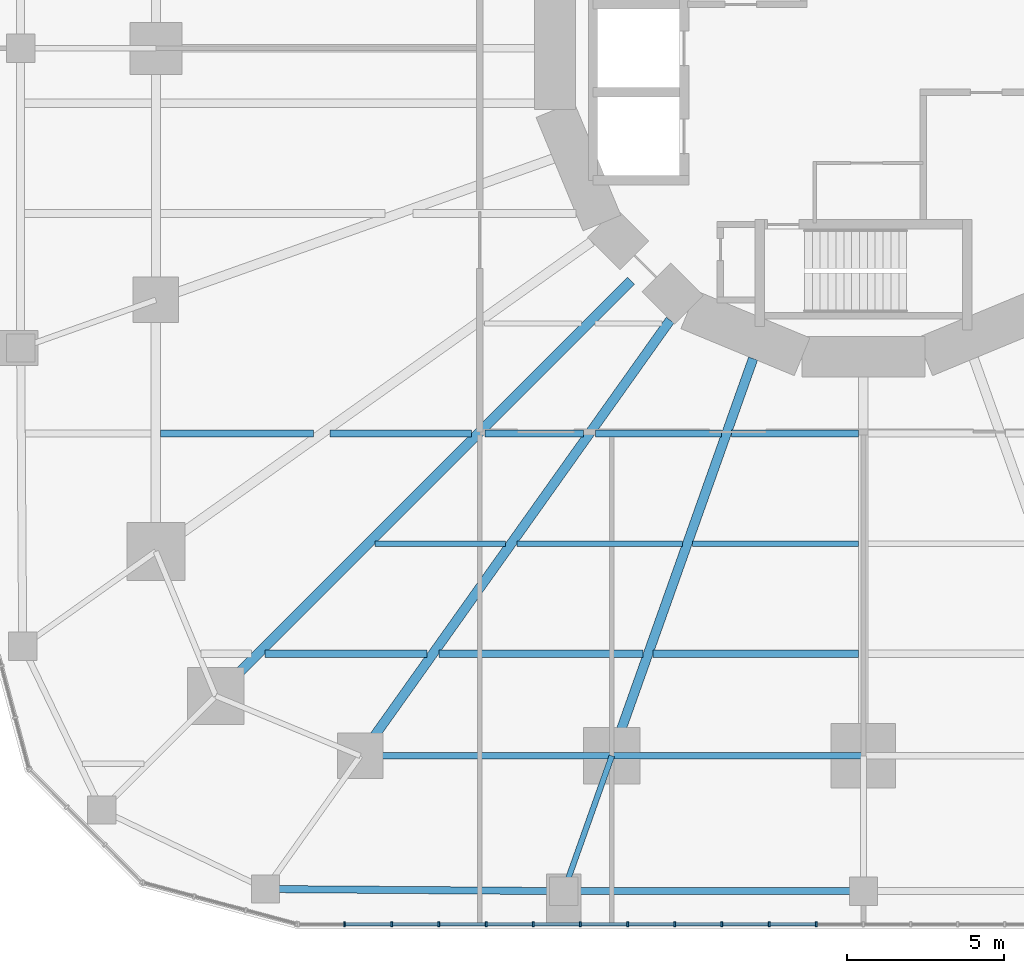
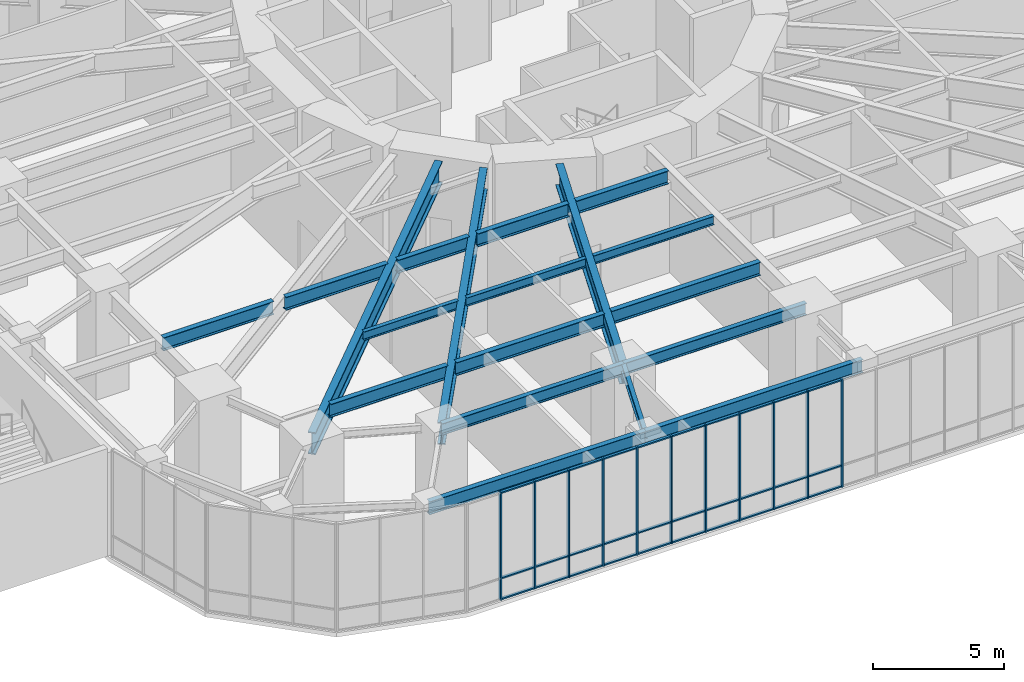
# One storey, part 3 of 24: 41 members, 19 beams, 1 element without a shape of its own.
"""IFC4 building model written with IfcOpenShell, lengths in metres."""

from ifc_helpers import new_model, si_unit, direction, frame, origin, origin_2d, place, context, subcontext, project, spatial, rectangle, i_section, extrude, material, material_profile, profile_set, type_object, element, aggregate, save


model = new_model("IFC4")

# Units and contexts
model_context = context("Model", 3, precision=1e-05, world=origin(), true_north=direction((0.0, 1.0)))
body_context = subcontext(model_context, "Body", "Model", "MODEL_VIEW")
ifc_project = project(units=[si_unit("LENGTHUNIT", "METRE"), si_unit("AREAUNIT", "SQUARE_METRE"), si_unit("VOLUMEUNIT", "CUBIC_METRE"), si_unit("PLANEANGLEUNIT", "RADIAN"), si_unit("MASSUNIT", "GRAM", prefix="KILO")], contexts=[model_context])

# Site, building, storey
site_placement = place(None, origin())
site = spatial("IfcSite", under=ifc_project, at=site_placement, CompositionType="ELEMENT")
building_placement = place(site_placement, origin())
building = spatial("IfcBuilding", under=site, at=building_placement, Name="Nakasero Lantern House", CompositionType="ELEMENT")
storey_placement = place(building_placement, frame((0.0, 0.0, 6.0)))
storey = spatial("IfcBuildingStorey", under=building, at=storey_placement, Name="L01", CompositionType="ELEMENT", Elevation=6.0)

# Beams
ifc_material_1 = material(Name="Steel S355", Category="steel")
ifc_material_profile_1 = material_profile(ifc_material_1, i_section(OverallWidth=0.177978515625, OverallDepth=0.406494140625, WebThickness=0.0078125, FlangeThickness=0.0126953125, FilletRadius=0.01025390625, at=origin_2d()), Name="UB 406x178x60")
ifc_profile_set_1 = profile_set([ifc_material_profile_1], Name="Steel S355")
beam_type_1 = type_object("IfcBeamType", Name="Infill beam UB 406x178x60", PredefinedType="JOIST", material=ifc_profile_set_1)
beam_1_placement = place(storey_placement, frame((-15.533935546875, -15.75, 4.5966796875), z_axis=(1.0, 0.0, 0.0), x_axis=(0.0, 1.0, 0.0)))
element("IfcBeam", 1, at=beam_1_placement, inside=storey, type_object=beam_type_1, Name="Infill beam L02 04.1", PredefinedType="JOIST", context=body_context, shape_type="SweptSolid", body=[
    extrude(i_section(OverallWidth=0.177978515625, OverallDepth=0.406494140625, WebThickness=0.0078125, FlangeThickness=0.0126953125, FilletRadius=0.01025390625, at=origin_2d()), origin(), (0.0, 0.0, 1.0), 4.146484375),
])
beam_2_placement = place(storey_placement, frame((-11.0126953125, -15.75, 4.5966796875), z_axis=(1.0, 0.0, 0.0), x_axis=(0.0, 1.0, 0.0)))
element("IfcBeam", 2, at=beam_2_placement, inside=storey, type_object=beam_type_1, Name="Infill beam L02 04.2", PredefinedType="JOIST", context=body_context, shape_type="SweptSolid", body=[
    extrude(i_section(OverallWidth=0.177978515625, OverallDepth=0.406494140625, WebThickness=0.0078125, FlangeThickness=0.0126953125, FilletRadius=0.01025390625, at=origin_2d()), origin(), (0.0, 0.0, 1.0), 5.25244140625),
])
beam_3_placement = place(storey_placement, frame((-5.439697265625, -15.75, 4.5966796875), z_axis=(1.0, 0.0, 0.0), x_axis=(0.0, 1.0, 0.0)))
element("IfcBeam", 3, at=beam_3_placement, inside=storey, type_object=beam_type_1, Name="Infill beam L02 04.3", PredefinedType="JOIST", context=body_context, shape_type="SweptSolid", body=[
    extrude(i_section(OverallWidth=0.177978515625, OverallDepth=0.406494140625, WebThickness=0.0078125, FlangeThickness=0.0126953125, FilletRadius=0.01025390625, at=origin_2d()), origin(), (0.0, 0.0, 1.0), 5.289794921875),
])
ifc_material_2 = material(Name="Steel S355", Category="steel")
ifc_material_profile_2 = material_profile(ifc_material_2, i_section(OverallWidth=0.22900390625, OverallDepth=0.6123046875, WebThickness=0.011962890625, FlangeThickness=0.01953125, FilletRadius=0.0126953125, at=origin_2d()), Name="UB 610x229x125")
ifc_profile_set_2 = profile_set([ifc_material_profile_2], Name="Steel S355")
beam_type_2 = type_object("IfcBeamType", Name="Infill beam UB 610x229x125", PredefinedType="JOIST", material=ifc_profile_set_2)
beam_4_placement = place(storey_placement, frame((-19.033935546875, -19.25, 4.493896484375), z_axis=(1.0, 0.0, 0.0), x_axis=(0.0, 1.0, 0.0)))
element("IfcBeam", 4, at=beam_4_placement, inside=storey, type_object=beam_type_2, Name="Infill beam L02 03.2", PredefinedType="JOIST", context=body_context, shape_type="SweptSolid", body=[
    extrude(i_section(OverallWidth=0.22900390625, OverallDepth=0.6123046875, WebThickness=0.011962890625, FlangeThickness=0.01953125, FilletRadius=0.0126953125, at=origin_2d()), origin(), (0.0, 0.0, 1.0), 5.15771484375),
])
beam_5_placement = place(storey_placement, frame((-13.50146484375, -19.25, 4.493896484375), z_axis=(1.0, 0.0, 0.0), x_axis=(0.0, 1.0, 0.0)))
element("IfcBeam", 5, at=beam_5_placement, inside=storey, type_object=beam_type_2, Name="Infill beam L02 03.3", PredefinedType="JOIST", context=body_context, shape_type="SweptSolid", body=[
    extrude(i_section(OverallWidth=0.22900390625, OverallDepth=0.6123046875, WebThickness=0.011962890625, FlangeThickness=0.01953125, FilletRadius=0.0126953125, at=origin_2d()), origin(), (0.0, 0.0, 1.0), 6.496826171875),
])
beam_6_placement = place(storey_placement, frame((-6.68408203125, -19.25, 4.493896484375), z_axis=(1.0, 0.0, 0.0), x_axis=(0.0, 1.0, 0.0)))
element("IfcBeam", 6, at=beam_6_placement, inside=storey, type_object=beam_type_2, Name="Infill beam L02 03.4", PredefinedType="JOIST", context=body_context, shape_type="SweptSolid", body=[
    extrude(i_section(OverallWidth=0.22900390625, OverallDepth=0.6123046875, WebThickness=0.011962890625, FlangeThickness=0.01953125, FilletRadius=0.0126953125, at=origin_2d()), origin(), (0.0, 0.0, 1.0), 6.5341796875),
])
beam_7_placement = place(storey_placement, frame((-22.35009765625, -12.25, 4.493896484375), z_axis=(1.0, 0.0, 0.0), x_axis=(0.0, 1.0, 0.0)))
element("IfcBeam", 7, at=beam_7_placement, inside=storey, type_object=beam_type_2, Name="Infill beam L02 05.2", PredefinedType="JOIST", context=body_context, shape_type="SweptSolid", body=[
    extrude(i_section(OverallWidth=0.22900390625, OverallDepth=0.6123046875, WebThickness=0.011962890625, FlangeThickness=0.01953125, FilletRadius=0.0126953125, at=origin_2d()), origin(), (0.0, 0.0, 1.0), 4.862060546875),
])
beam_8_placement = place(storey_placement, frame((-16.965087890625, -12.25, 4.493896484375), z_axis=(1.0, 0.0, 0.0), x_axis=(0.0, 1.0, 0.0)))
element("IfcBeam", 8, at=beam_8_placement, inside=storey, type_object=beam_type_2, Name="Infill beam L02 05.3", PredefinedType="JOIST", context=body_context, shape_type="SweptSolid", body=[
    extrude(i_section(OverallWidth=0.22900390625, OverallDepth=0.6123046875, WebThickness=0.011962890625, FlangeThickness=0.01953125, FilletRadius=0.0126953125, at=origin_2d()), origin(), (0.0, 0.0, 1.0), 4.4990234375),
])
beam_9_placement = place(storey_placement, frame((-12.033935546875, -12.25, 4.493896484375), z_axis=(1.0, 0.0, 0.0), x_axis=(0.0, 1.0, 0.0)))
element("IfcBeam", 9, at=beam_9_placement, inside=storey, type_object=beam_type_2, Name="Infill beam L02 05.4", PredefinedType="JOIST", context=body_context, shape_type="SweptSolid", body=[
    extrude(i_section(OverallWidth=0.22900390625, OverallDepth=0.6123046875, WebThickness=0.011962890625, FlangeThickness=0.01953125, FilletRadius=0.0126953125, at=origin_2d()), origin(), (0.0, 0.0, 1.0), 3.135498046875),
])
beam_10_placement = place(storey_placement, frame((-8.523681640625, -12.25, 4.493896484375), z_axis=(1.0, 0.0, 0.0), x_axis=(0.0, 1.0, 0.0)))
element("IfcBeam", 10, at=beam_10_placement, inside=storey, type_object=beam_type_2, Name="Infill beam L02 05.5", PredefinedType="JOIST", context=body_context, shape_type="SweptSolid", body=[
    extrude(i_section(OverallWidth=0.22900390625, OverallDepth=0.6123046875, WebThickness=0.011962890625, FlangeThickness=0.01953125, FilletRadius=0.0126953125, at=origin_2d()), origin(), (0.0, 0.0, 1.0), 4.0078125),
])
beam_11_placement = place(storey_placement, frame((-4.1953125, -12.25, 4.493896484375), z_axis=(1.0, 0.0, 0.0), x_axis=(0.0, 1.0, 0.0)))
element("IfcBeam", 11, at=beam_11_placement, inside=storey, type_object=beam_type_2, Name="Infill beam L02 05.6", PredefinedType="JOIST", context=body_context, shape_type="SweptSolid", body=[
    extrude(i_section(OverallWidth=0.22900390625, OverallDepth=0.6123046875, WebThickness=0.011962890625, FlangeThickness=0.01953125, FilletRadius=0.0126953125, at=origin_2d()), origin(), (0.0, 0.0, 1.0), 4.04541015625),
])

# Curtain wall, members
ifc_material_3 = material(Name="Aluminium 6063-T6 and glass", Category="aluminium")
curtain_wall_type = type_object("IfcCurtainWallType", Name="Podium curtain wall CW-2", PredefinedType="USERDEFINED", material=ifc_material_3)
curtain_wall_placement = place(storey_placement, origin())
curtain_wall = element("IfcCurtainWall", 12, at=curtain_wall_placement, inside=storey, type_object=curtain_wall_type, Name="Curtain wall CW-2 L01", ObjectType="STICK CURTAIN WALL", PredefinedType="USERDEFINED")
ifc_material_4 = material(Name="Aluminium 6063-T6", Category="aluminium")
ifc_material_profile_3 = material_profile(ifc_material_4, rectangle(XDim=0.06005859375, YDim=0.159912109375, at=origin_2d()), Name="CW-2 mullion 60x160")
ifc_profile_set_3 = profile_set([ifc_material_profile_3], Name="Aluminium 6063-T6")
member_type_1 = type_object("IfcMemberType", Name="Mullion CW-2", PredefinedType="MULLION", material=ifc_profile_set_3)
member_1_placement = place(storey_placement, frame((-16.5, -27.85009765625, 0.0), z_axis=(0.0, 0.0, 1.0), x_axis=(1.0, 0.0, 0.0)))
member_1 = element("IfcMember", 13, at=member_1_placement, type_object=member_type_1, Name="CW-2 mullion 2", PredefinedType="MULLION", context=body_context, shape_type="SweptSolid", body=[
    extrude(rectangle(XDim=0.06005859375, YDim=0.159912109375, at=origin_2d()), origin(), (0.0, 0.0, 1.0), 5.0),
])
member_2_placement = place(storey_placement, frame((-15.0, -27.85009765625, 0.0), z_axis=(0.0, 0.0, 1.0), x_axis=(1.0, 0.0, 0.0)))
member_2 = element("IfcMember", 14, at=member_2_placement, type_object=member_type_1, Name="CW-2 mullion 3", PredefinedType="MULLION", context=body_context, shape_type="SweptSolid", body=[
    extrude(rectangle(XDim=0.06005859375, YDim=0.159912109375, at=origin_2d()), origin(), (0.0, 0.0, 1.0), 5.0),
])
member_3_placement = place(storey_placement, frame((-13.5, -27.85009765625, 0.0), z_axis=(0.0, 0.0, 1.0), x_axis=(1.0, 0.0, 0.0)))
member_3 = element("IfcMember", 15, at=member_3_placement, type_object=member_type_1, Name="CW-2 mullion 4", PredefinedType="MULLION", context=body_context, shape_type="SweptSolid", body=[
    extrude(rectangle(XDim=0.06005859375, YDim=0.159912109375, at=origin_2d()), origin(), (0.0, 0.0, 1.0), 5.0),
])
member_4_placement = place(storey_placement, frame((-12.0, -27.85009765625, 0.0), z_axis=(0.0, 0.0, 1.0), x_axis=(1.0, 0.0, 0.0)))
member_4 = element("IfcMember", 16, at=member_4_placement, type_object=member_type_1, Name="CW-2 mullion 5", PredefinedType="MULLION", context=body_context, shape_type="SweptSolid", body=[
    extrude(rectangle(XDim=0.06005859375, YDim=0.159912109375, at=origin_2d()), origin(), (0.0, 0.0, 1.0), 5.0),
])
member_5_placement = place(storey_placement, frame((-10.5, -27.85009765625, 0.0), z_axis=(0.0, 0.0, 1.0), x_axis=(1.0, 0.0, 0.0)))
member_5 = element("IfcMember", 17, at=member_5_placement, type_object=member_type_1, Name="CW-2 mullion 6", PredefinedType="MULLION", context=body_context, shape_type="SweptSolid", body=[
    extrude(rectangle(XDim=0.06005859375, YDim=0.159912109375, at=origin_2d()), origin(), (0.0, 0.0, 1.0), 5.0),
])
member_6_placement = place(storey_placement, frame((-9.0, -27.85009765625, 0.0), z_axis=(0.0, 0.0, 1.0), x_axis=(1.0, 0.0, 0.0)))
member_6 = element("IfcMember", 18, at=member_6_placement, type_object=member_type_1, Name="CW-2 mullion 7", PredefinedType="MULLION", context=body_context, shape_type="SweptSolid", body=[
    extrude(rectangle(XDim=0.06005859375, YDim=0.159912109375, at=origin_2d()), origin(), (0.0, 0.0, 1.0), 5.0),
])
member_7_placement = place(storey_placement, frame((-7.5, -27.85009765625, 0.0), z_axis=(0.0, 0.0, 1.0), x_axis=(1.0, 0.0, 0.0)))
member_7 = element("IfcMember", 19, at=member_7_placement, type_object=member_type_1, Name="CW-2 mullion 8", PredefinedType="MULLION", context=body_context, shape_type="SweptSolid", body=[
    extrude(rectangle(XDim=0.06005859375, YDim=0.159912109375, at=origin_2d()), origin(), (0.0, 0.0, 1.0), 5.0),
])
member_8_placement = place(storey_placement, frame((-6.0, -27.85009765625, 0.0), z_axis=(0.0, 0.0, 1.0), x_axis=(1.0, 0.0, 0.0)))
member_8 = element("IfcMember", 20, at=member_8_placement, type_object=member_type_1, Name="CW-2 mullion 9", PredefinedType="MULLION", context=body_context, shape_type="SweptSolid", body=[
    extrude(rectangle(XDim=0.06005859375, YDim=0.159912109375, at=origin_2d()), origin(), (0.0, 0.0, 1.0), 5.0),
])
member_9_placement = place(storey_placement, frame((-4.5, -27.85009765625, 0.0), z_axis=(0.0, 0.0, 1.0), x_axis=(1.0, 0.0, 0.0)))
member_9 = element("IfcMember", 21, at=member_9_placement, type_object=member_type_1, Name="CW-2 mullion 10", PredefinedType="MULLION", context=body_context, shape_type="SweptSolid", body=[
    extrude(rectangle(XDim=0.06005859375, YDim=0.159912109375, at=origin_2d()), origin(), (0.0, 0.0, 1.0), 5.0),
])
member_10_placement = place(storey_placement, frame((-3.0, -27.85009765625, 0.0), z_axis=(0.0, 0.0, 1.0), x_axis=(1.0, 0.0, 0.0)))
member_10 = element("IfcMember", 22, at=member_10_placement, type_object=member_type_1, Name="CW-2 mullion 11", PredefinedType="MULLION", context=body_context, shape_type="SweptSolid", body=[
    extrude(rectangle(XDim=0.06005859375, YDim=0.159912109375, at=origin_2d()), origin(), (0.0, 0.0, 1.0), 5.0),
])
member_11_placement = place(storey_placement, frame((-1.5, -27.85009765625, 0.0), z_axis=(0.0, 0.0, 1.0), x_axis=(1.0, 0.0, 0.0)))
member_11 = element("IfcMember", 23, at=member_11_placement, type_object=member_type_1, Name="CW-2 mullion 12", PredefinedType="MULLION", context=body_context, shape_type="SweptSolid", body=[
    extrude(rectangle(XDim=0.06005859375, YDim=0.159912109375, at=origin_2d()), origin(), (0.0, 0.0, 1.0), 5.0),
])

# Beams
ifc_material_5 = material(Name="Steel S355", Category="steel")
ifc_material_profile_4 = material_profile(ifc_material_5, i_section(OverallWidth=0.302001953125, OverallDepth=1.008056640625, WebThickness=0.02099609375, FlangeThickness=0.0400390625, FilletRadius=0.030029296875, at=origin_2d()), Name="UB 1016x305x349")
ifc_profile_set_4 = profile_set([ifc_material_profile_4], Name="Steel S355")
beam_type_3 = type_object("IfcBeamType", Name="Primary beam UB 1016x305x349, span 12 to 15 m", PredefinedType="BEAM", material=ifc_profile_set_4)
beam_12_placement = place(storey_placement, frame((-8.0, -22.5, 4.2958984375), z_axis=(0.335010745293, 0.942214307118, 0.0), x_axis=(-0.942214307118, 0.335010745293, 0.0)))
element("IfcBeam", 24, at=beam_12_placement, inside=storey, type_object=beam_type_3, Name="Primary beam L02 B1-C20", PredefinedType="BEAM", context=body_context, shape_type="SweptSolid", body=[
    extrude(i_section(OverallWidth=0.302001953125, OverallDepth=1.008056640625, WebThickness=0.02099609375, FlangeThickness=0.0400390625, FilletRadius=0.030029296875, at=origin_2d()), origin(), (0.0, 0.0, 1.0), 13.408447265625),
])
ifc_material_6 = material(Name="Steel S355", Category="steel")
ifc_material_profile_5 = material_profile(ifc_material_6, i_section(OverallWidth=0.305419921875, OverallDepth=1.026123046875, WebThickness=0.02685546875, FlangeThickness=0.049072265625, FilletRadius=0.030029296875, at=origin_2d()), Name="UB 1016x305x437")
ifc_profile_set_5 = profile_set([ifc_material_profile_5], Name="Steel S355")
beam_type_4 = type_object("IfcBeamType", Name="Primary beam UB 1016x305x437, span over 15 m", PredefinedType="BEAM", material=ifc_profile_set_5)
beam_13_placement = place(storey_placement, frame((-20.59619140625, -20.59619140625, 4.286865234375), z_axis=(0.707106781187, 0.707106781187, 0.0), x_axis=(-0.707106781187, 0.707106781187, 0.0)))
element("IfcBeam", 25, at=beam_13_placement, inside=storey, type_object=beam_type_4, Name="Primary beam L02 B1-C18", PredefinedType="BEAM", context=body_context, shape_type="SweptSolid", body=[
    extrude(i_section(OverallWidth=0.305419921875, OverallDepth=1.026123046875, WebThickness=0.02685546875, FlangeThickness=0.049072265625, FilletRadius=0.030029296875, at=origin_2d()), origin(), (0.0, 0.0, 1.0), 18.669677734375),
])
beam_14_placement = place(storey_placement, frame((-16.0, -22.5, 4.286865234375), z_axis=(0.579528236629, 0.814952159915, 0.0), x_axis=(-0.814952159915, 0.579528236629, 0.0)))
element("IfcBeam", 26, at=beam_14_placement, inside=storey, type_object=beam_type_4, Name="Primary beam L02 B1-C19", PredefinedType="BEAM", context=body_context, shape_type="SweptSolid", body=[
    extrude(i_section(OverallWidth=0.305419921875, OverallDepth=1.026123046875, WebThickness=0.02685546875, FlangeThickness=0.049072265625, FilletRadius=0.030029296875, at=origin_2d()), origin(), (0.0, 0.0, 1.0), 17.003173828125),
])
ifc_material_7 = material(Name="Steel S355", Category="steel")
ifc_material_profile_6 = material_profile(ifc_material_7, i_section(OverallWidth=0.179443359375, OverallDepth=0.412841796875, WebThickness=0.009521484375, FlangeThickness=0.01611328125, FilletRadius=0.01025390625, at=origin_2d()), Name="UB 406x178x74")
ifc_profile_set_6 = profile_set([ifc_material_profile_6], Name="Steel S355")
beam_type_5 = type_object("IfcBeamType", Name="Primary beam UB 406x178x74, span to 6 m", PredefinedType="BEAM", material=ifc_profile_set_6)
beam_15_placement = place(storey_placement, frame((-9.52880859375, -26.800048828125, 4.593505859375), z_axis=(0.334990670833, 0.942221444489, 0.0), x_axis=(-0.942221444489, 0.334990670833, 0.0)))
element("IfcBeam", 27, at=beam_15_placement, inside=storey, type_object=beam_type_5, Name="Primary beam L02 POD-C20", PredefinedType="BEAM", context=body_context, shape_type="SweptSolid", body=[
    extrude(i_section(OverallWidth=0.179443359375, OverallDepth=0.412841796875, WebThickness=0.009521484375, FlangeThickness=0.01611328125, FilletRadius=0.01025390625, at=origin_2d()), origin(), (0.0, 0.0, 1.0), 4.563720703125),
])
ifc_material_8 = material(Name="Steel S355", Category="steel")
ifc_material_profile_7 = material_profile(ifc_material_8, i_section(OverallWidth=0.2099609375, OverallDepth=0.53662109375, WebThickness=0.0107421875, FlangeThickness=0.017333984375, FilletRadius=0.0126953125, at=origin_2d()), Name="UB 533x210x101")
ifc_profile_set_7 = profile_set([ifc_material_profile_7], Name="Steel S355")
beam_type_6 = type_object("IfcBeamType", Name="Ring beam UB 533x210x101", PredefinedType="BEAM", material=ifc_profile_set_7)
for number, where, z_axis, x_axis, name in (
    (28, (-16.0, -22.5, 4.53173828125), (1.0, 0.0, 0.0), (0.0, 1.0, 0.0), "Ring beam L02 B1-C19"),
    (29, (-8.0, -22.5, 4.53173828125), (1.0, 0.0, 0.0), (0.0, 1.0, 0.0), "Ring beam L02 B1-C20"),
):
    element("IfcBeam", number, at=place(storey_placement, frame(where, z_axis=z_axis, x_axis=x_axis)), inside=storey, type_object=beam_type_6, Name=name, PredefinedType="BEAM", context=body_context, shape_type="SweptSolid", body=[
        extrude(i_section(OverallWidth=0.2099609375, OverallDepth=0.53662109375, WebThickness=0.0107421875, FlangeThickness=0.017333984375, FilletRadius=0.0126953125, at=origin_2d()), origin(), (0.0, 0.0, 1.0), 8.0),
    ])
ifc_material_9 = material(Name="Steel S355", Category="steel")
ifc_material_profile_8 = material_profile(ifc_material_9, i_section(OverallWidth=0.2275390625, OverallDepth=0.6025390625, WebThickness=0.010498046875, FlangeThickness=0.014892578125, FilletRadius=0.0126953125, at=origin_2d()), Name="UB 610x229x101")
ifc_profile_set_8 = profile_set([ifc_material_profile_8], Name="Steel S355")
beam_type_7 = type_object("IfcBeamType", Name="Ring beam UB 610x229x101", PredefinedType="BEAM", material=ifc_profile_set_8)
beam_16_placement = place(storey_placement, frame((-19.0107421875, -26.733642578125, 4.498779296875), z_axis=(0.999975476745, -0.007003278482, 0.0), x_axis=(0.007003278482, 0.999975476745, 0.0)))
element("IfcBeam", 30, at=beam_16_placement, inside=storey, type_object=beam_type_7, Name="Ring beam L02 POD-C19", PredefinedType="BEAM", context=body_context, shape_type="SweptSolid", body=[
    extrude(i_section(OverallWidth=0.2275390625, OverallDepth=0.6025390625, WebThickness=0.010498046875, FlangeThickness=0.014892578125, FilletRadius=0.0126953125, at=origin_2d()), origin(), (0.0, 0.0, 1.0), 9.482177734375),
])
beam_17_placement = place(storey_placement, frame((-9.52880859375, -26.800048828125, 4.498779296875), z_axis=(1.0, 0.0, 0.0), x_axis=(0.0, 1.0, 0.0)))
element("IfcBeam", 31, at=beam_17_placement, inside=storey, type_object=beam_type_7, Name="Ring beam L02 POD-C20", PredefinedType="BEAM", context=body_context, shape_type="SweptSolid", body=[
    extrude(i_section(OverallWidth=0.2275390625, OverallDepth=0.6025390625, WebThickness=0.010498046875, FlangeThickness=0.014892578125, FilletRadius=0.0126953125, at=origin_2d()), origin(), (0.0, 0.0, 1.0), 9.52880859375),
])

# Member
ifc_material_10 = material(Name="Aluminium 6063-T6", Category="aluminium")
ifc_material_profile_9 = material_profile(ifc_material_10, rectangle(XDim=0.06005859375, YDim=0.1201171875, at=origin_2d()), Name="CW-2 transom 60x120")
ifc_profile_set_9 = profile_set([ifc_material_profile_9], Name="Aluminium 6063-T6")
member_type_2 = type_object("IfcMemberType", Name="Transom CW-2", PredefinedType="USERDEFINED", material=ifc_profile_set_9)
member_12_placement = place(storey_placement, frame((-16.469970703125, -27.85009765625, 0.030029296875), z_axis=(1.0, 0.0, 0.0), x_axis=(0.0, 0.0, 1.0)))
member_12 = element("IfcMember", 32, at=member_12_placement, type_object=member_type_2, Name="CW-2 transom 2.1", ObjectType="TRANSOM", PredefinedType="USERDEFINED", context=body_context, shape_type="SweptSolid", body=[
    extrude(rectangle(XDim=0.06005859375, YDim=0.1201171875, at=origin_2d()), origin(), (0.0, 0.0, 1.0), 1.43994140625),
])

member_13_placement = place(storey_placement, frame((-16.469970703125, -27.85009765625, 1.0), z_axis=(1.0, 0.0, 0.0), x_axis=(0.0, 0.0, 1.0)))
member_13 = element("IfcMember", 33, at=member_13_placement, type_object=member_type_2, Name="CW-2 transom 2.2", ObjectType="TRANSOM", PredefinedType="USERDEFINED", context=body_context, shape_type="SweptSolid", body=[
    extrude(rectangle(XDim=0.06005859375, YDim=0.1201171875, at=origin_2d()), origin(), (0.0, 0.0, 1.0), 1.43994140625),
])

member_14_placement = place(storey_placement, frame((-16.469970703125, -27.85009765625, 4.969970703125), z_axis=(1.0, 0.0, 0.0), x_axis=(0.0, 0.0, 1.0)))
member_14 = element("IfcMember", 34, at=member_14_placement, type_object=member_type_2, Name="CW-2 transom 2.3", ObjectType="TRANSOM", PredefinedType="USERDEFINED", context=body_context, shape_type="SweptSolid", body=[
    extrude(rectangle(XDim=0.06005859375, YDim=0.1201171875, at=origin_2d()), origin(), (0.0, 0.0, 1.0), 1.43994140625),
])

member_15_placement = place(storey_placement, frame((-14.969970703125, -27.85009765625, 0.030029296875), z_axis=(1.0, 0.0, 0.0), x_axis=(0.0, 0.0, 1.0)))
member_15 = element("IfcMember", 35, at=member_15_placement, type_object=member_type_2, Name="CW-2 transom 3.1", ObjectType="TRANSOM", PredefinedType="USERDEFINED", context=body_context, shape_type="SweptSolid", body=[
    extrude(rectangle(XDim=0.06005859375, YDim=0.1201171875, at=origin_2d()), origin(), (0.0, 0.0, 1.0), 1.43994140625),
])

member_16_placement = place(storey_placement, frame((-14.969970703125, -27.85009765625, 1.0), z_axis=(1.0, 0.0, 0.0), x_axis=(0.0, 0.0, 1.0)))
member_16 = element("IfcMember", 36, at=member_16_placement, type_object=member_type_2, Name="CW-2 transom 3.2", ObjectType="TRANSOM", PredefinedType="USERDEFINED", context=body_context, shape_type="SweptSolid", body=[
    extrude(rectangle(XDim=0.06005859375, YDim=0.1201171875, at=origin_2d()), origin(), (0.0, 0.0, 1.0), 1.43994140625),
])

member_17_placement = place(storey_placement, frame((-14.969970703125, -27.85009765625, 4.969970703125), z_axis=(1.0, 0.0, 0.0), x_axis=(0.0, 0.0, 1.0)))
member_17 = element("IfcMember", 37, at=member_17_placement, type_object=member_type_2, Name="CW-2 transom 3.3", ObjectType="TRANSOM", PredefinedType="USERDEFINED", context=body_context, shape_type="SweptSolid", body=[
    extrude(rectangle(XDim=0.06005859375, YDim=0.1201171875, at=origin_2d()), origin(), (0.0, 0.0, 1.0), 1.43994140625),
])

member_18_placement = place(storey_placement, frame((-13.469970703125, -27.85009765625, 0.030029296875), z_axis=(1.0, 0.0, 0.0), x_axis=(0.0, 0.0, 1.0)))
member_18 = element("IfcMember", 38, at=member_18_placement, type_object=member_type_2, Name="CW-2 transom 4.1", ObjectType="TRANSOM", PredefinedType="USERDEFINED", context=body_context, shape_type="SweptSolid", body=[
    extrude(rectangle(XDim=0.06005859375, YDim=0.1201171875, at=origin_2d()), origin(), (0.0, 0.0, 1.0), 1.43994140625),
])

member_19_placement = place(storey_placement, frame((-13.469970703125, -27.85009765625, 1.0), z_axis=(1.0, 0.0, 0.0), x_axis=(0.0, 0.0, 1.0)))
member_19 = element("IfcMember", 39, at=member_19_placement, type_object=member_type_2, Name="CW-2 transom 4.2", ObjectType="TRANSOM", PredefinedType="USERDEFINED", context=body_context, shape_type="SweptSolid", body=[
    extrude(rectangle(XDim=0.06005859375, YDim=0.1201171875, at=origin_2d()), origin(), (0.0, 0.0, 1.0), 1.43994140625),
])

member_20_placement = place(storey_placement, frame((-13.469970703125, -27.85009765625, 4.969970703125), z_axis=(1.0, 0.0, 0.0), x_axis=(0.0, 0.0, 1.0)))
member_20 = element("IfcMember", 40, at=member_20_placement, type_object=member_type_2, Name="CW-2 transom 4.3", ObjectType="TRANSOM", PredefinedType="USERDEFINED", context=body_context, shape_type="SweptSolid", body=[
    extrude(rectangle(XDim=0.06005859375, YDim=0.1201171875, at=origin_2d()), origin(), (0.0, 0.0, 1.0), 1.43994140625),
])

member_21_placement = place(storey_placement, frame((-11.969970703125, -27.85009765625, 0.030029296875), z_axis=(1.0, 0.0, 0.0), x_axis=(0.0, 0.0, 1.0)))
member_21 = element("IfcMember", 41, at=member_21_placement, type_object=member_type_2, Name="CW-2 transom 5.1", ObjectType="TRANSOM", PredefinedType="USERDEFINED", context=body_context, shape_type="SweptSolid", body=[
    extrude(rectangle(XDim=0.06005859375, YDim=0.1201171875, at=origin_2d()), origin(), (0.0, 0.0, 1.0), 1.43994140625),
])

member_22_placement = place(storey_placement, frame((-11.969970703125, -27.85009765625, 1.0), z_axis=(1.0, 0.0, 0.0), x_axis=(0.0, 0.0, 1.0)))
member_22 = element("IfcMember", 42, at=member_22_placement, type_object=member_type_2, Name="CW-2 transom 5.2", ObjectType="TRANSOM", PredefinedType="USERDEFINED", context=body_context, shape_type="SweptSolid", body=[
    extrude(rectangle(XDim=0.06005859375, YDim=0.1201171875, at=origin_2d()), origin(), (0.0, 0.0, 1.0), 1.43994140625),
])

member_23_placement = place(storey_placement, frame((-11.969970703125, -27.85009765625, 4.969970703125), z_axis=(1.0, 0.0, 0.0), x_axis=(0.0, 0.0, 1.0)))
member_23 = element("IfcMember", 43, at=member_23_placement, type_object=member_type_2, Name="CW-2 transom 5.3", ObjectType="TRANSOM", PredefinedType="USERDEFINED", context=body_context, shape_type="SweptSolid", body=[
    extrude(rectangle(XDim=0.06005859375, YDim=0.1201171875, at=origin_2d()), origin(), (0.0, 0.0, 1.0), 1.43994140625),
])

member_24_placement = place(storey_placement, frame((-10.469970703125, -27.85009765625, 0.030029296875), z_axis=(1.0, 0.0, 0.0), x_axis=(0.0, 0.0, 1.0)))
member_24 = element("IfcMember", 44, at=member_24_placement, type_object=member_type_2, Name="CW-2 transom 6.1", ObjectType="TRANSOM", PredefinedType="USERDEFINED", context=body_context, shape_type="SweptSolid", body=[
    extrude(rectangle(XDim=0.06005859375, YDim=0.1201171875, at=origin_2d()), origin(), (0.0, 0.0, 1.0), 1.43994140625),
])

member_25_placement = place(storey_placement, frame((-10.469970703125, -27.85009765625, 1.0), z_axis=(1.0, 0.0, 0.0), x_axis=(0.0, 0.0, 1.0)))
member_25 = element("IfcMember", 45, at=member_25_placement, type_object=member_type_2, Name="CW-2 transom 6.2", ObjectType="TRANSOM", PredefinedType="USERDEFINED", context=body_context, shape_type="SweptSolid", body=[
    extrude(rectangle(XDim=0.06005859375, YDim=0.1201171875, at=origin_2d()), origin(), (0.0, 0.0, 1.0), 1.43994140625),
])

member_26_placement = place(storey_placement, frame((-10.469970703125, -27.85009765625, 4.969970703125), z_axis=(1.0, 0.0, 0.0), x_axis=(0.0, 0.0, 1.0)))
member_26 = element("IfcMember", 46, at=member_26_placement, type_object=member_type_2, Name="CW-2 transom 6.3", ObjectType="TRANSOM", PredefinedType="USERDEFINED", context=body_context, shape_type="SweptSolid", body=[
    extrude(rectangle(XDim=0.06005859375, YDim=0.1201171875, at=origin_2d()), origin(), (0.0, 0.0, 1.0), 1.43994140625),
])

member_27_placement = place(storey_placement, frame((-8.969970703125, -27.85009765625, 0.030029296875), z_axis=(1.0, 0.0, 0.0), x_axis=(0.0, 0.0, 1.0)))
member_27 = element("IfcMember", 47, at=member_27_placement, type_object=member_type_2, Name="CW-2 transom 7.1", ObjectType="TRANSOM", PredefinedType="USERDEFINED", context=body_context, shape_type="SweptSolid", body=[
    extrude(rectangle(XDim=0.06005859375, YDim=0.1201171875, at=origin_2d()), origin(), (0.0, 0.0, 1.0), 1.43994140625),
])

member_28_placement = place(storey_placement, frame((-8.969970703125, -27.85009765625, 1.0), z_axis=(1.0, 0.0, 0.0), x_axis=(0.0, 0.0, 1.0)))
member_28 = element("IfcMember", 48, at=member_28_placement, type_object=member_type_2, Name="CW-2 transom 7.2", ObjectType="TRANSOM", PredefinedType="USERDEFINED", context=body_context, shape_type="SweptSolid", body=[
    extrude(rectangle(XDim=0.06005859375, YDim=0.1201171875, at=origin_2d()), origin(), (0.0, 0.0, 1.0), 1.43994140625),
])

member_29_placement = place(storey_placement, frame((-8.969970703125, -27.85009765625, 4.969970703125), z_axis=(1.0, 0.0, 0.0), x_axis=(0.0, 0.0, 1.0)))
member_29 = element("IfcMember", 49, at=member_29_placement, type_object=member_type_2, Name="CW-2 transom 7.3", ObjectType="TRANSOM", PredefinedType="USERDEFINED", context=body_context, shape_type="SweptSolid", body=[
    extrude(rectangle(XDim=0.06005859375, YDim=0.1201171875, at=origin_2d()), origin(), (0.0, 0.0, 1.0), 1.43994140625),
])

member_30_placement = place(storey_placement, frame((-7.469970703125, -27.85009765625, 0.030029296875), z_axis=(1.0, 0.0, 0.0), x_axis=(0.0, 0.0, 1.0)))
member_30 = element("IfcMember", 50, at=member_30_placement, type_object=member_type_2, Name="CW-2 transom 8.1", ObjectType="TRANSOM", PredefinedType="USERDEFINED", context=body_context, shape_type="SweptSolid", body=[
    extrude(rectangle(XDim=0.06005859375, YDim=0.1201171875, at=origin_2d()), origin(), (0.0, 0.0, 1.0), 1.43994140625),
])

member_31_placement = place(storey_placement, frame((-7.469970703125, -27.85009765625, 1.0), z_axis=(1.0, 0.0, 0.0), x_axis=(0.0, 0.0, 1.0)))
member_31 = element("IfcMember", 51, at=member_31_placement, type_object=member_type_2, Name="CW-2 transom 8.2", ObjectType="TRANSOM", PredefinedType="USERDEFINED", context=body_context, shape_type="SweptSolid", body=[
    extrude(rectangle(XDim=0.06005859375, YDim=0.1201171875, at=origin_2d()), origin(), (0.0, 0.0, 1.0), 1.43994140625),
])

member_32_placement = place(storey_placement, frame((-7.469970703125, -27.85009765625, 4.969970703125), z_axis=(1.0, 0.0, 0.0), x_axis=(0.0, 0.0, 1.0)))
member_32 = element("IfcMember", 52, at=member_32_placement, type_object=member_type_2, Name="CW-2 transom 8.3", ObjectType="TRANSOM", PredefinedType="USERDEFINED", context=body_context, shape_type="SweptSolid", body=[
    extrude(rectangle(XDim=0.06005859375, YDim=0.1201171875, at=origin_2d()), origin(), (0.0, 0.0, 1.0), 1.43994140625),
])

member_33_placement = place(storey_placement, frame((-5.969970703125, -27.85009765625, 0.030029296875), z_axis=(1.0, 0.0, 0.0), x_axis=(0.0, 0.0, 1.0)))
member_33 = element("IfcMember", 53, at=member_33_placement, type_object=member_type_2, Name="CW-2 transom 9.1", ObjectType="TRANSOM", PredefinedType="USERDEFINED", context=body_context, shape_type="SweptSolid", body=[
    extrude(rectangle(XDim=0.06005859375, YDim=0.1201171875, at=origin_2d()), origin(), (0.0, 0.0, 1.0), 1.43994140625),
])

member_34_placement = place(storey_placement, frame((-5.969970703125, -27.85009765625, 1.0), z_axis=(1.0, 0.0, 0.0), x_axis=(0.0, 0.0, 1.0)))
member_34 = element("IfcMember", 54, at=member_34_placement, type_object=member_type_2, Name="CW-2 transom 9.2", ObjectType="TRANSOM", PredefinedType="USERDEFINED", context=body_context, shape_type="SweptSolid", body=[
    extrude(rectangle(XDim=0.06005859375, YDim=0.1201171875, at=origin_2d()), origin(), (0.0, 0.0, 1.0), 1.43994140625),
])

member_35_placement = place(storey_placement, frame((-5.969970703125, -27.85009765625, 4.969970703125), z_axis=(1.0, 0.0, 0.0), x_axis=(0.0, 0.0, 1.0)))
member_35 = element("IfcMember", 55, at=member_35_placement, type_object=member_type_2, Name="CW-2 transom 9.3", ObjectType="TRANSOM", PredefinedType="USERDEFINED", context=body_context, shape_type="SweptSolid", body=[
    extrude(rectangle(XDim=0.06005859375, YDim=0.1201171875, at=origin_2d()), origin(), (0.0, 0.0, 1.0), 1.43994140625),
])

member_36_placement = place(storey_placement, frame((-4.469970703125, -27.85009765625, 0.030029296875), z_axis=(1.0, 0.0, 0.0), x_axis=(0.0, 0.0, 1.0)))
member_36 = element("IfcMember", 56, at=member_36_placement, type_object=member_type_2, Name="CW-2 transom 10.1", ObjectType="TRANSOM", PredefinedType="USERDEFINED", context=body_context, shape_type="SweptSolid", body=[
    extrude(rectangle(XDim=0.06005859375, YDim=0.1201171875, at=origin_2d()), origin(), (0.0, 0.0, 1.0), 1.43994140625),
])

member_37_placement = place(storey_placement, frame((-4.469970703125, -27.85009765625, 1.0), z_axis=(1.0, 0.0, 0.0), x_axis=(0.0, 0.0, 1.0)))
member_37 = element("IfcMember", 57, at=member_37_placement, type_object=member_type_2, Name="CW-2 transom 10.2", ObjectType="TRANSOM", PredefinedType="USERDEFINED", context=body_context, shape_type="SweptSolid", body=[
    extrude(rectangle(XDim=0.06005859375, YDim=0.1201171875, at=origin_2d()), origin(), (0.0, 0.0, 1.0), 1.43994140625),
])

member_38_placement = place(storey_placement, frame((-4.469970703125, -27.85009765625, 4.969970703125), z_axis=(1.0, 0.0, 0.0), x_axis=(0.0, 0.0, 1.0)))
member_38 = element("IfcMember", 58, at=member_38_placement, type_object=member_type_2, Name="CW-2 transom 10.3", ObjectType="TRANSOM", PredefinedType="USERDEFINED", context=body_context, shape_type="SweptSolid", body=[
    extrude(rectangle(XDim=0.06005859375, YDim=0.1201171875, at=origin_2d()), origin(), (0.0, 0.0, 1.0), 1.43994140625),
])

member_39_placement = place(storey_placement, frame((-2.969970703125, -27.85009765625, 0.030029296875), z_axis=(1.0, 0.0, 0.0), x_axis=(0.0, 0.0, 1.0)))
member_39 = element("IfcMember", 59, at=member_39_placement, type_object=member_type_2, Name="CW-2 transom 11.1", ObjectType="TRANSOM", PredefinedType="USERDEFINED", context=body_context, shape_type="SweptSolid", body=[
    extrude(rectangle(XDim=0.06005859375, YDim=0.1201171875, at=origin_2d()), origin(), (0.0, 0.0, 1.0), 1.43994140625),
])

member_40_placement = place(storey_placement, frame((-2.969970703125, -27.85009765625, 1.0), z_axis=(1.0, 0.0, 0.0), x_axis=(0.0, 0.0, 1.0)))
member_40 = element("IfcMember", 60, at=member_40_placement, type_object=member_type_2, Name="CW-2 transom 11.2", ObjectType="TRANSOM", PredefinedType="USERDEFINED", context=body_context, shape_type="SweptSolid", body=[
    extrude(rectangle(XDim=0.06005859375, YDim=0.1201171875, at=origin_2d()), origin(), (0.0, 0.0, 1.0), 1.43994140625),
])

member_41_placement = place(storey_placement, frame((-2.969970703125, -27.85009765625, 4.969970703125), z_axis=(1.0, 0.0, 0.0), x_axis=(0.0, 0.0, 1.0)))
member_41 = element("IfcMember", 61, at=member_41_placement, type_object=member_type_2, Name="CW-2 transom 11.3", ObjectType="TRANSOM", PredefinedType="USERDEFINED", context=body_context, shape_type="SweptSolid", body=[
    extrude(rectangle(XDim=0.06005859375, YDim=0.1201171875, at=origin_2d()), origin(), (0.0, 0.0, 1.0), 1.43994140625),
])

aggregate(curtain_wall, [member_1, member_2, member_3, member_4, member_5, member_6, member_7, member_8, member_9, member_10, member_11, member_12, member_13, member_14, member_15, member_16, member_17, member_18, member_19, member_20, member_21, member_22, member_23, member_24, member_25, member_26, member_27, member_28, member_29, member_30, member_31, member_32, member_33, member_34, member_35, member_36, member_37, member_38, member_39, member_40, member_41])

save(model, "model.ifc")
